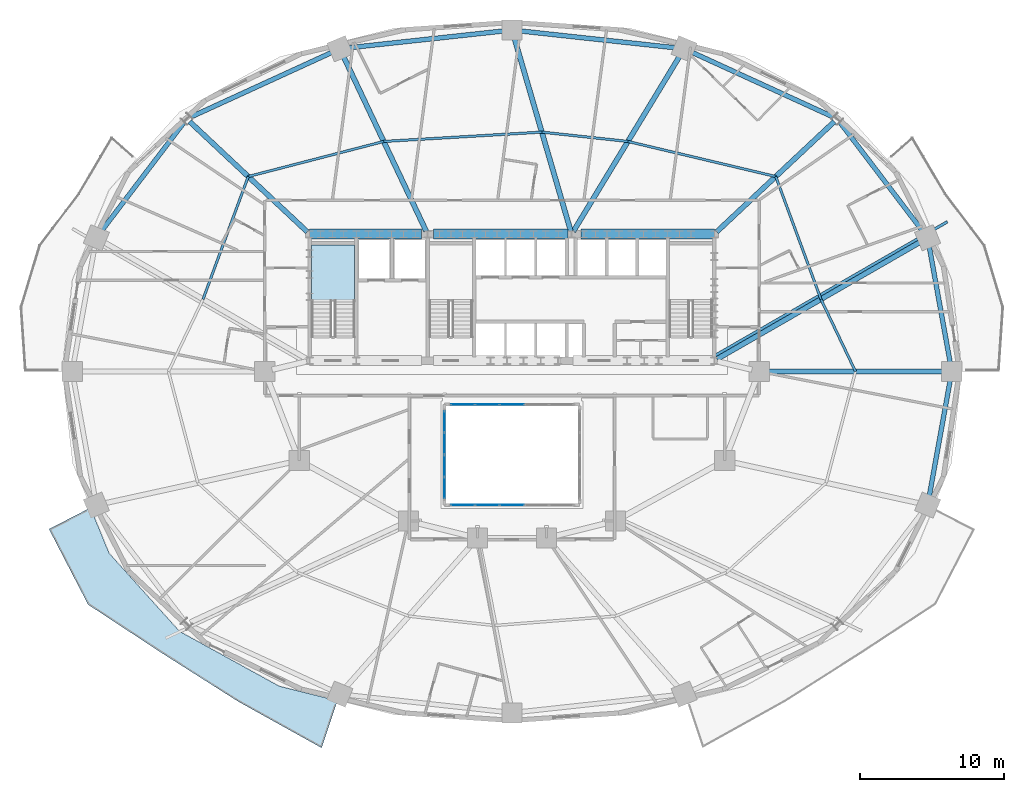
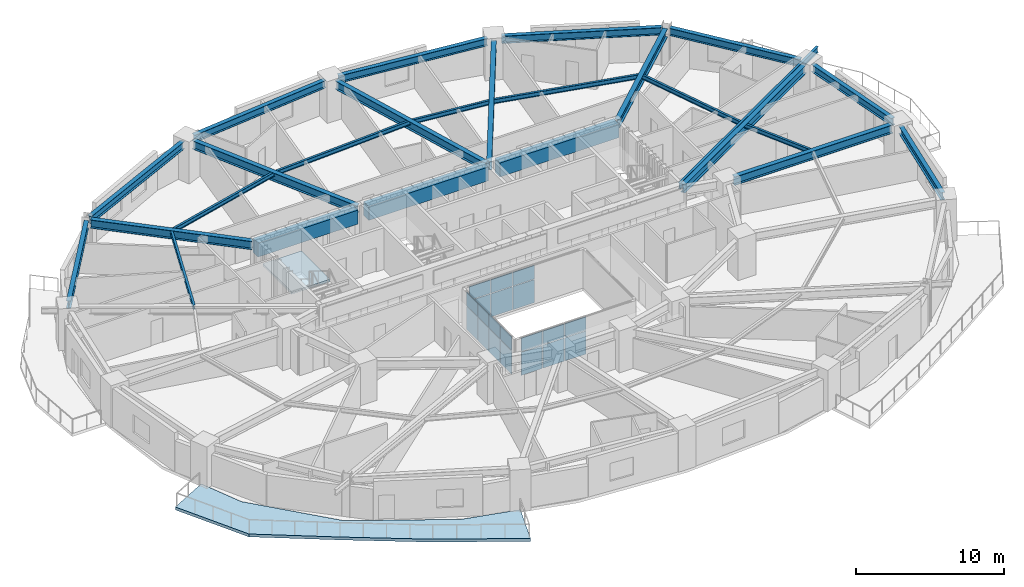
# One storey, part 7 of 17: 26 beams, 20 plates, 2 slabs, 4 elements without a shape of their own.
"""IFC4 building model written with IfcOpenShell, lengths in metres."""

from ifc_helpers import new_model, si_unit, direction, frame, origin, origin_2d, place, context, subcontext, project, spatial, polyline, rectangle, i_section, outline, extrude, material, layer, layer_set, material_profile, profile_set, type_object, element, aggregate, save


model = new_model("IFC4")

# Units and contexts
model_context = context("Model", 3, precision=1e-05, world=origin(), true_north=direction((0.0, 1.0)))
body_context = subcontext(model_context, "Body", "Model", "MODEL_VIEW")
ifc_project = project(units=[si_unit("LENGTHUNIT", "METRE"), si_unit("AREAUNIT", "SQUARE_METRE"), si_unit("VOLUMEUNIT", "CUBIC_METRE"), si_unit("PLANEANGLEUNIT", "RADIAN"), si_unit("MASSUNIT", "GRAM", prefix="KILO")], contexts=[model_context])

# Site, building, storey
site_placement = place(None, origin())
site = spatial("IfcSite", under=ifc_project, at=site_placement, CompositionType="ELEMENT")
building_placement = place(site_placement, origin())
building = spatial("IfcBuilding", under=site, at=building_placement, Name="Haldorwick Loom Tower", CompositionType="ELEMENT")
storey_placement = place(building_placement, frame((0.0, 0.0, 58.5)))
storey = spatial("IfcBuildingStorey", under=building, at=storey_placement, Name="L15", CompositionType="ELEMENT", Elevation=58.5)

# Beams
ifc_material_1 = material(Name="Steel CSA G40.21 350W", Category="steel")
ifc_material_profile_1 = material_profile(ifc_material_1, i_section(OverallWidth=0.193115234375, OverallDepth=0.466064453125, WebThickness=0.011474609375, FlangeThickness=0.01904296875, at=origin_2d()), Name="W460X97", Category="steel")
ifc_profile_set_1 = profile_set([ifc_material_profile_1], Name="Steel CSA G40.21 350W")
beam_type_1 = type_object("IfcBeamType", Name="STR-BM-BAL460", PredefinedType="BEAM", material=ifc_profile_set_1)
beam_1_placement = place(storey_placement, frame((50.125244140625, 27.10498046875, 2.97705078125), z_axis=(0.866607024941, 0.49899124674, 0.0), x_axis=(-0.49899124674, 0.866607024941, 0.0)))
element("IfcBeam", 1, at=beam_1_placement, inside=storey, type_object=beam_type_1, Name="L15 Continuous Back-Spanned Balcony Beam 4", PredefinedType="BEAM", context=body_context, shape_type="SweptSolid", body=[
    extrude(i_section(OverallWidth=0.193115234375, OverallDepth=0.466064453125, WebThickness=0.011474609375, FlangeThickness=0.01904296875, at=origin_2d()), origin(), (0.0, 0.0, 1.0), 18.65771484375),
])
ifc_material_2 = material(Name="Concrete C60 (60 MPa)", Category="concrete")
ifc_material_profile_2 = material_profile(ifc_material_2, rectangle(XDim=0.699951171875, YDim=1.14990234375, at=origin_2d()), Name="RC700X1150", Category="concrete")
ifc_profile_set_2 = profile_set([ifc_material_profile_2], Name="Concrete C60 (60 MPa)")
beam_type_2 = type_object("IfcBeamType", Name="STR-BM-CB1150", PredefinedType="LINTEL", material=ifc_profile_set_2)
beam_2_placement = place(storey_placement, frame((21.89990234375, 35.550048828125, 2.635009765625), z_axis=(1.0, 0.0, 0.0), x_axis=(0.0, 1.0, 0.0)))
element("IfcBeam", 2, at=beam_2_placement, inside=storey, type_object=beam_type_2, Name="L15 Core Coupling Beam CB-N1", PredefinedType="LINTEL", context=body_context, shape_type="SweptSolid", body=[
    extrude(rectangle(XDim=0.699951171875, YDim=1.14990234375, at=origin_2d()), origin(), (0.0, 0.0, 1.0), 7.800048828125),
])
beam_3_placement = place(storey_placement, frame((30.550048828125, 35.550048828125, 2.635009765625), z_axis=(1.0, 0.0, 0.0), x_axis=(0.0, 1.0, 0.0)))
element("IfcBeam", 3, at=beam_3_placement, inside=storey, type_object=beam_type_2, Name="L15 Core Coupling Beam CB-N2", PredefinedType="LINTEL", context=body_context, shape_type="SweptSolid", body=[
    extrude(rectangle(XDim=0.699951171875, YDim=1.14990234375, at=origin_2d()), origin(), (0.0, 0.0, 1.0), 9.349853515625),
])
beam_4_placement = place(storey_placement, frame((40.800048828125, 35.550048828125, 2.635009765625), z_axis=(1.0, 0.0, 0.0), x_axis=(0.0, 1.0, 0.0)))
element("IfcBeam", 4, at=beam_4_placement, inside=storey, type_object=beam_type_2, Name="L15 Core Coupling Beam CB-N3", PredefinedType="LINTEL", context=body_context, shape_type="SweptSolid", body=[
    extrude(rectangle(XDim=0.699951171875, YDim=1.14990234375, at=origin_2d()), origin(), (0.0, 0.0, 1.0), 9.300048828125),
])
ifc_material_profile_3 = material_profile(ifc_material_1, i_section(OverallWidth=0.172119140625, OverallDepth=0.35791015625, WebThickness=0.0078125, FlangeThickness=0.01318359375, at=origin_2d()), Name="W360X57", Category="steel")
ifc_profile_set_3 = profile_set([ifc_material_profile_3], Name="Steel CSA G40.21 350W")
beam_type_3 = type_object("IfcBeamType", Name="STR-BM-J360", PredefinedType="JOIST", material=ifc_profile_set_3)
beam_5_placement = place(storey_placement, frame((59.89794921875, 26.0, 3.031005859375), z_axis=(-0.431630738849, 0.902050389546, 0.0), x_axis=(-0.902050389546, -0.431630738849, 0.0)))
element("IfcBeam", 5, at=beam_5_placement, inside=storey, type_object=beam_type_3, Name="L15 Mid-Bay Secondary Joist 1", PredefinedType="JOIST", context=body_context, shape_type="SweptSolid", body=[
    extrude(i_section(OverallWidth=0.172119140625, OverallDepth=0.35791015625, WebThickness=0.0078125, FlangeThickness=0.01318359375, at=origin_2d()), origin(), (0.0, 0.0, 1.0), 5.5703125),
])
beam_6_placement = place(storey_placement, frame((57.49365234375, 31.024658203125, 3.031005859375), z_axis=(-0.345576005762, 0.938390763084, 0.0), x_axis=(-0.938390763084, -0.345576005762, 0.0)))
element("IfcBeam", 6, at=beam_6_placement, inside=storey, type_object=beam_type_3, Name="L15 Mid-Bay Secondary Joist 2", PredefinedType="JOIST", context=body_context, shape_type="SweptSolid", body=[
    extrude(i_section(OverallWidth=0.172119140625, OverallDepth=0.35791015625, WebThickness=0.0078125, FlangeThickness=0.01318359375, at=origin_2d()), origin(), (0.0, 0.0, 1.0), 9.0966796875),
])
beam_7_placement = place(storey_placement, frame((54.35009765625, 39.560791015625, 3.031005859375), z_axis=(-0.973016191143, 0.230736845289, 0.0), x_axis=(-0.230736845289, -0.973016191143, 0.0)))
element("IfcBeam", 7, at=beam_7_placement, inside=storey, type_object=beam_type_3, Name="L15 Mid-Bay Secondary Joist 3", PredefinedType="JOIST", context=body_context, shape_type="SweptSolid", body=[
    extrude(i_section(OverallWidth=0.172119140625, OverallDepth=0.35791015625, WebThickness=0.0078125, FlangeThickness=0.01318359375, at=origin_2d()), origin(), (0.0, 0.0, 1.0), 10.5712890625),
])
beam_8_placement = place(storey_placement, frame((44.06396484375, 42.0, 3.031005859375), z_axis=(-0.994163660215, 0.107882420753, 0.0), x_axis=(-0.107882420753, -0.994163660215, 0.0)))
element("IfcBeam", 8, at=beam_8_placement, inside=storey, type_object=beam_type_3, Name="L15 Mid-Bay Secondary Joist 4", PredefinedType="JOIST", context=body_context, shape_type="SweptSolid", body=[
    extrude(i_section(OverallWidth=0.172119140625, OverallDepth=0.35791015625, WebThickness=0.0078125, FlangeThickness=0.01318359375, at=origin_2d()), origin(), (0.0, 0.0, 1.0), 6.024169921875),
])
beam_9_placement = place(storey_placement, frame((38.074951171875, 42.64990234375, 3.031005859375), z_axis=(-0.998258904552, -0.058984400336, 0.0), x_axis=(0.058984400336, -0.998258904552, 0.0)))
element("IfcBeam", 9, at=beam_9_placement, inside=storey, type_object=beam_type_3, Name="L15 Mid-Bay Secondary Joist 5", PredefinedType="JOIST", context=body_context, shape_type="SweptSolid", body=[
    extrude(i_section(OverallWidth=0.172119140625, OverallDepth=0.35791015625, WebThickness=0.0078125, FlangeThickness=0.01318359375, at=origin_2d()), origin(), (0.0, 0.0, 1.0), 11.018310546875),
])
beam_10_placement = place(storey_placement, frame((27.075927734375, 42.0, 3.031005859375), z_axis=(-0.968110955806, -0.250521809927, 0.0), x_axis=(0.250521809927, -0.968110955806, 0.0)))
element("IfcBeam", 10, at=beam_10_placement, inside=storey, type_object=beam_type_3, Name="L15 Mid-Bay Secondary Joist 6", PredefinedType="JOIST", context=body_context, shape_type="SweptSolid", body=[
    extrude(i_section(OverallWidth=0.172119140625, OverallDepth=0.35791015625, WebThickness=0.0078125, FlangeThickness=0.01318359375, at=origin_2d()), origin(), (0.0, 0.0, 1.0), 9.736572265625),
])
beam_11_placement = place(storey_placement, frame((17.64990234375, 39.560791015625, 3.031005859375), z_axis=(-0.345576005762, -0.938390763084, 0.0), x_axis=(0.938390763084, -0.345576005762, 0.0)))
element("IfcBeam", 11, at=beam_11_placement, inside=storey, type_object=beam_type_3, Name="L15 Mid-Bay Secondary Joist 7", PredefinedType="JOIST", context=body_context, shape_type="SweptSolid", body=[
    extrude(i_section(OverallWidth=0.172119140625, OverallDepth=0.35791015625, WebThickness=0.0078125, FlangeThickness=0.01318359375, at=origin_2d()), origin(), (0.0, 0.0, 1.0), 9.0966796875),
])
ifc_material_profile_4 = material_profile(ifc_material_1, i_section(OverallWidth=0.324951171875, OverallDepth=0.615966796875, WebThickness=0.013916015625, FlangeThickness=0.021484375, at=origin_2d()), Name="W610X174", Category="steel")
ifc_profile_set_4 = profile_set([ifc_material_profile_4], Name="Steel CSA G40.21 350W")
beam_type_4 = type_object("IfcBeamType", Name="STR-BM-SP610", PredefinedType="SPANDREL", material=ifc_profile_set_4)
beam_12_placement = place(storey_placement, frame((66.503662109375, 26.51171875, 2.902099609375), z_axis=(-0.177641139482, 0.984095333575, 0.0), x_axis=(-0.984095333575, -0.177641139482, 0.0)))
element("IfcBeam", 12, at=beam_12_placement, inside=storey, type_object=beam_type_4, Name="L15 Perimeter Spandrel 1", PredefinedType="SPANDREL", context=body_context, shape_type="SweptSolid", body=[
    extrude(i_section(OverallWidth=0.324951171875, OverallDepth=0.615966796875, WebThickness=0.013916015625, FlangeThickness=0.021484375, at=origin_2d()), origin(), (0.0, 0.0, 1.0), 8.40966796875),
])
beam_13_placement = place(storey_placement, frame((64.602783203125, 35.713134765625, 2.902099609375), z_axis=(-0.605084557744, 0.796161213562, 0.0), x_axis=(-0.796161213562, -0.605084557744, 0.0)))
element("IfcBeam", 13, at=beam_13_placement, inside=storey, type_object=beam_type_4, Name="L15 Perimeter Spandrel 2", PredefinedType="SPANDREL", context=body_context, shape_type="SweptSolid", body=[
    extrude(i_section(OverallWidth=0.324951171875, OverallDepth=0.615966796875, WebThickness=0.013916015625, FlangeThickness=0.021484375, at=origin_2d()), origin(), (0.0, 0.0, 1.0), 9.595703125),
])
beam_14_placement = place(storey_placement, frame((58.380126953125, 43.68603515625, 2.902099609375), z_axis=(-0.909173805321, 0.416416848504, 0.0), x_axis=(-0.416416848504, -0.909173805321, 0.0)))
element("IfcBeam", 14, at=beam_14_placement, inside=storey, type_object=beam_type_4, Name="L15 Perimeter Spandrel 3", PredefinedType="SPANDREL", context=body_context, shape_type="SweptSolid", body=[
    extrude(i_section(OverallWidth=0.324951171875, OverallDepth=0.615966796875, WebThickness=0.013916015625, FlangeThickness=0.021484375, at=origin_2d()), origin(), (0.0, 0.0, 1.0), 10.92138671875),
])
for number, where, z_axis, x_axis, name in (
    (15, (47.4609375, 48.50634765625, 2.902099609375), (-0.994164438636, 0.107875247167, 0.0), (-0.107875247167, -0.994164438636, 0.0), "L15 Perimeter Spandrel 4"),
    (16, (35.48291015625, 49.69384765625, 2.902099609375), (-0.994164438636, -0.107875247167, 0.0), (0.107875247167, -0.994164438636, 0.0), "L15 Perimeter Spandrel 5"),
):
    element("IfcBeam", number, at=place(storey_placement, frame(where, z_axis=z_axis, x_axis=x_axis)), inside=storey, type_object=beam_type_4, Name=name, PredefinedType="SPANDREL", context=body_context, shape_type="SweptSolid", body=[
        extrude(i_section(OverallWidth=0.324951171875, OverallDepth=0.615966796875, WebThickness=0.013916015625, FlangeThickness=0.021484375, at=origin_2d()), origin(), (0.0, 0.0, 1.0), 11.008056640625),
    ])
beam_15_placement = place(storey_placement, frame((23.54931640625, 48.23388671875, 2.902099609375), z_axis=(-0.909173805321, -0.416416848504, 0.0), x_axis=(0.416416848504, -0.909173805321, 0.0)))
element("IfcBeam", 17, at=beam_15_placement, inside=storey, type_object=beam_type_4, Name="L15 Perimeter Spandrel 6", PredefinedType="SPANDREL", context=body_context, shape_type="SweptSolid", body=[
    extrude(i_section(OverallWidth=0.324951171875, OverallDepth=0.615966796875, WebThickness=0.013916015625, FlangeThickness=0.021484375, at=origin_2d()), origin(), (0.0, 0.0, 1.0), 10.92138671875),
])
beam_16_placement = place(storey_placement, frame((13.203369140625, 43.352783203125, 2.902099609375), z_axis=(-0.605084557744, -0.796161213562, 0.0), x_axis=(0.796161213562, -0.605084557744, 0.0)))
element("IfcBeam", 18, at=beam_16_placement, inside=storey, type_object=beam_type_4, Name="L15 Perimeter Spandrel 7", PredefinedType="SPANDREL", context=body_context, shape_type="SweptSolid", body=[
    extrude(i_section(OverallWidth=0.324951171875, OverallDepth=0.615966796875, WebThickness=0.013916015625, FlangeThickness=0.021484375, at=origin_2d()), origin(), (0.0, 0.0, 1.0), 9.595703125),
])
beam_17_placement = place(storey_placement, frame((65.009765625, 17.21240234375, 2.902099609375), z_axis=(0.177641139482, 0.984095333575, 0.0), x_axis=(-0.984095333575, 0.177641139482, 0.0)))
element("IfcBeam", 19, at=beam_17_placement, inside=storey, type_object=beam_type_4, Name="L15 Perimeter Spandrel 16", PredefinedType="SPANDREL", context=body_context, shape_type="SweptSolid", body=[
    extrude(i_section(OverallWidth=0.324951171875, OverallDepth=0.615966796875, WebThickness=0.013916015625, FlangeThickness=0.021484375, at=origin_2d()), origin(), (0.0, 0.0, 1.0), 8.40966796875),
])
ifc_material_profile_5 = material_profile(ifc_material_1, i_section(OverallWidth=0.35498046875, OverallDepth=0.695068359375, WebThickness=0.015380859375, FlangeThickness=0.02490234375, at=origin_2d()), Name="W690X217", Category="steel")
ifc_profile_set_5 = profile_set([ifc_material_profile_5], Name="Steel CSA G40.21 350W")
beam_type_5 = type_object("IfcBeamType", Name="STR-BM-W690", PredefinedType="BEAM", material=ifc_profile_set_5)
beam_18_placement = place(storey_placement, frame((53.719970703125, 26.0, 2.862548828125), z_axis=(1.0, 0.0, 0.0), x_axis=(0.0, 1.0, 0.0)))
element("IfcBeam", 20, at=beam_18_placement, inside=storey, type_object=beam_type_5, Name="L15 Radial Floor Girder 1", PredefinedType="BEAM", context=body_context, shape_type="SweptSolid", body=[
    extrude(i_section(OverallWidth=0.35498046875, OverallDepth=0.695068359375, WebThickness=0.015380859375, FlangeThickness=0.02490234375, at=origin_2d()), origin(), (0.0, 0.0, 1.0), 12.35595703125),
])
beam_19_placement = place(storey_placement, frame((50.264892578125, 26.8623046875, 2.862548828125), z_axis=(0.86660566838, 0.498993602696, 0.0), x_axis=(-0.498993602696, 0.86660566838, 0.0)))
element("IfcBeam", 21, at=beam_19_placement, inside=storey, type_object=beam_type_5, Name="L15 Radial Floor Girder 2", PredefinedType="BEAM", context=body_context, shape_type="SweptSolid", body=[
    extrude(i_section(OverallWidth=0.35498046875, OverallDepth=0.695068359375, WebThickness=0.015380859375, FlangeThickness=0.02490234375, at=origin_2d()), origin(), (0.0, 0.0, 1.0), 16.387939453125),
])
beam_20_placement = place(storey_placement, frame((50.234130859375, 35.703857421875, 2.862548828125), z_axis=(0.729689033278, 0.683779141766, 0.0), x_axis=(-0.683779141766, 0.729689033278, 0.0)))
element("IfcBeam", 22, at=beam_20_placement, inside=storey, type_object=beam_type_5, Name="L15 Radial Floor Girder 3", PredefinedType="BEAM", context=body_context, shape_type="SweptSolid", body=[
    extrude(i_section(OverallWidth=0.35498046875, OverallDepth=0.695068359375, WebThickness=0.015380859375, FlangeThickness=0.02490234375, at=origin_2d()), origin(), (0.0, 0.0, 1.0), 11.231201171875),
])
beam_21_placement = place(storey_placement, frame((40.2666015625, 35.742431640625, 2.862548828125), z_axis=(0.518781813409, 0.854906679162, 0.0), x_axis=(-0.854906679162, 0.518781813409, 0.0)))
element("IfcBeam", 23, at=beam_21_placement, inside=storey, type_object=beam_type_5, Name="L15 Radial Floor Girder 4", PredefinedType="BEAM", context=body_context, shape_type="SweptSolid", body=[
    extrude(i_section(OverallWidth=0.35498046875, OverallDepth=0.695068359375, WebThickness=0.015380859375, FlangeThickness=0.02490234375, at=origin_2d()), origin(), (0.0, 0.0, 1.0), 14.344482421875),
])
beam_22_placement = place(storey_placement, frame((40.0869140625, 35.76611328125, 2.862548828125), z_axis=(-0.28051378914, 0.959849995625, 0.0), x_axis=(-0.959849995625, -0.28051378914, 0.0)))
element("IfcBeam", 24, at=beam_22_placement, inside=storey, type_object=beam_type_5, Name="L15 Radial Floor Girder 5", PredefinedType="BEAM", context=body_context, shape_type="SweptSolid", body=[
    extrude(i_section(OverallWidth=0.35498046875, OverallDepth=0.695068359375, WebThickness=0.015380859375, FlangeThickness=0.02490234375, at=origin_2d()), origin(), (0.0, 0.0, 1.0), 14.048828125),
])
beam_23_placement = place(storey_placement, frame((30.03369140625, 35.75341796875, 2.862548828125), z_axis=(-0.427945149389, 0.903804707398, 0.0), x_axis=(-0.903804707398, -0.427945149389, 0.0)))
element("IfcBeam", 25, at=beam_23_placement, inside=storey, type_object=beam_type_5, Name="L15 Radial Floor Girder 6", PredefinedType="BEAM", context=body_context, shape_type="SweptSolid", body=[
    extrude(i_section(OverallWidth=0.35498046875, OverallDepth=0.695068359375, WebThickness=0.015380859375, FlangeThickness=0.02490234375, at=origin_2d()), origin(), (0.0, 0.0, 1.0), 13.528076171875),
])
beam_24_placement = place(storey_placement, frame((21.765869140625, 35.703857421875, 2.862548828125), z_axis=(-0.729689033278, 0.683779141766, 0.0), x_axis=(-0.683779141766, -0.729689033278, 0.0)))
element("IfcBeam", 26, at=beam_24_placement, inside=storey, type_object=beam_type_5, Name="L15 Radial Floor Girder 7", PredefinedType="BEAM", context=body_context, shape_type="SweptSolid", body=[
    extrude(i_section(OverallWidth=0.35498046875, OverallDepth=0.695068359375, WebThickness=0.015380859375, FlangeThickness=0.02490234375, at=origin_2d()), origin(), (0.0, 0.0, 1.0), 11.231201171875),
])

# Curtain wall, plates
ifc_material_3 = material(Name="Thermally Broken Anodized Aluminium Curtain Wall Framing", Category="aluminium")
curtain_wall_type = type_object("IfcCurtainWallType", Name="ARC-CW-03", PredefinedType="NOTDEFINED", material=ifc_material_3)
curtain_wall_1_placement = place(storey_placement, origin())
curtain_wall_1 = element("IfcCurtainWall", 27, at=curtain_wall_1_placement, inside=storey, type_object=curtain_wall_type, Name="L15 Atrium Glazed Screen S", PredefinedType="NOTDEFINED")
ifc_material_4 = material(Name="Triple-Glazed Low-E Argon Insulated Glazing Unit", Category="glass")
ifc_layer_1 = layer(ifc_material_4, 0.04296875, Name="Triple-Glazed Low-E Argon Insulated Glazing Unit", Category="glass")
ifc_layer_set_1 = layer_set([ifc_layer_1], Name="Triple-Glazed Low-E Argon Insulated Glazing Unit")
plate_type = type_object("IfcPlateType", Name="ARC-CWP-03", PredefinedType="CURTAIN_PANEL", material=ifc_layer_set_1)
plate_1_placement = place(storey_placement, frame((36.0, 16.699951171875, 0.066162109375), z_axis=(0.0, 0.0, 1.0), x_axis=(-1.0, 0.0, 0.0)))
plate_1 = element("IfcPlate", 28, at=plate_1_placement, type_object=plate_type, Name="CW-03 panel 3.1", PredefinedType="CURTAIN_PANEL", context=body_context, shape_type="SweptSolid", body=[
    extrude(rectangle(XDim=1.654052734375, YDim=0.04296875, at=origin_2d()), origin(), (0.0, 0.0, 1.0), 1.90087890625),
])
plate_2_placement = place(storey_placement, frame((36.0, 16.699951171875, 2.03271484375), z_axis=(0.0, 0.0, 1.0), x_axis=(-1.0, 0.0, 0.0)))
plate_2 = element("IfcPlate", 29, at=plate_2_placement, type_object=plate_type, Name="CW-03 panel 3.2", PredefinedType="CURTAIN_PANEL", context=body_context, shape_type="SweptSolid", body=[
    extrude(rectangle(XDim=1.654052734375, YDim=0.04296875, at=origin_2d()), origin(), (0.0, 0.0, 1.0), 1.111083984375),
])
plate_3_placement = place(storey_placement, frame((34.280029296875, 16.699951171875, 0.066162109375), z_axis=(0.0, 0.0, 1.0), x_axis=(-1.0, 0.0, 0.0)))
plate_3 = element("IfcPlate", 30, at=plate_3_placement, type_object=plate_type, Name="CW-03 panel 4.1", PredefinedType="CURTAIN_PANEL", context=body_context, shape_type="SweptSolid", body=[
    extrude(rectangle(XDim=1.654052734375, YDim=0.04296875, at=origin_2d()), origin(), (0.0, 0.0, 1.0), 1.90087890625),
])
plate_4_placement = place(storey_placement, frame((34.280029296875, 16.699951171875, 2.03271484375), z_axis=(0.0, 0.0, 1.0), x_axis=(-1.0, 0.0, 0.0)))
plate_4 = element("IfcPlate", 31, at=plate_4_placement, type_object=plate_type, Name="CW-03 panel 4.2", PredefinedType="CURTAIN_PANEL", context=body_context, shape_type="SweptSolid", body=[
    extrude(rectangle(XDim=1.654052734375, YDim=0.04296875, at=origin_2d()), origin(), (0.0, 0.0, 1.0), 1.111083984375),
])
plate_5_placement = place(storey_placement, frame((32.576416015625, 16.699951171875, 0.066162109375), z_axis=(0.0, 0.0, 1.0), x_axis=(-1.0, 0.0, 0.0)))
plate_5 = element("IfcPlate", 32, at=plate_5_placement, type_object=plate_type, Name="CW-03 panel 5.1", PredefinedType="CURTAIN_PANEL", context=body_context, shape_type="SweptSolid", body=[
    extrude(rectangle(XDim=1.62109375, YDim=0.04296875, at=origin_2d()), origin(), (0.0, 0.0, 1.0), 1.90087890625),
])
plate_6_placement = place(storey_placement, frame((32.576416015625, 16.699951171875, 2.03271484375), z_axis=(0.0, 0.0, 1.0), x_axis=(-1.0, 0.0, 0.0)))
plate_6 = element("IfcPlate", 33, at=plate_6_placement, type_object=plate_type, Name="CW-03 panel 5.2", PredefinedType="CURTAIN_PANEL", context=body_context, shape_type="SweptSolid", body=[
    extrude(rectangle(XDim=1.62109375, YDim=0.04296875, at=origin_2d()), origin(), (0.0, 0.0, 1.0), 1.111083984375),
])
aggregate(curtain_wall_1, [plate_1, plate_2, plate_3, plate_4, plate_5, plate_6])

curtain_wall_2_placement = place(storey_placement, origin())
curtain_wall_2 = element("IfcCurtainWall", 34, at=curtain_wall_2_placement, inside=storey, type_object=curtain_wall_type, Name="L15 Atrium Glazed Screen N", PredefinedType="NOTDEFINED")
plate_7_placement = place(storey_placement, frame((32.576416015625, 23.699951171875, 0.066162109375), z_axis=(0.0, 0.0, 1.0), x_axis=(1.0, 0.0, 0.0)))
plate_7 = element("IfcPlate", 35, at=plate_7_placement, type_object=plate_type, Name="CW-03 panel 1.1", PredefinedType="CURTAIN_PANEL", context=body_context, shape_type="SweptSolid", body=[
    extrude(rectangle(XDim=1.62109375, YDim=0.04296875, at=origin_2d()), origin(), (0.0, 0.0, 1.0), 1.90087890625),
])
plate_8_placement = place(storey_placement, frame((32.576416015625, 23.699951171875, 2.03271484375), z_axis=(0.0, 0.0, 1.0), x_axis=(1.0, 0.0, 0.0)))
plate_8 = element("IfcPlate", 36, at=plate_8_placement, type_object=plate_type, Name="CW-03 panel 1.2", PredefinedType="CURTAIN_PANEL", context=body_context, shape_type="SweptSolid", body=[
    extrude(rectangle(XDim=1.62109375, YDim=0.04296875, at=origin_2d()), origin(), (0.0, 0.0, 1.0), 1.111083984375),
])
plate_9_placement = place(storey_placement, frame((34.280029296875, 23.699951171875, 0.066162109375), z_axis=(0.0, 0.0, 1.0), x_axis=(1.0, 0.0, 0.0)))
plate_9 = element("IfcPlate", 37, at=plate_9_placement, type_object=plate_type, Name="CW-03 panel 2.1", PredefinedType="CURTAIN_PANEL", context=body_context, shape_type="SweptSolid", body=[
    extrude(rectangle(XDim=1.654052734375, YDim=0.04296875, at=origin_2d()), origin(), (0.0, 0.0, 1.0), 1.90087890625),
])
plate_10_placement = place(storey_placement, frame((34.280029296875, 23.699951171875, 2.03271484375), z_axis=(0.0, 0.0, 1.0), x_axis=(1.0, 0.0, 0.0)))
plate_10 = element("IfcPlate", 38, at=plate_10_placement, type_object=plate_type, Name="CW-03 panel 2.2", PredefinedType="CURTAIN_PANEL", context=body_context, shape_type="SweptSolid", body=[
    extrude(rectangle(XDim=1.654052734375, YDim=0.04296875, at=origin_2d()), origin(), (0.0, 0.0, 1.0), 1.111083984375),
])
plate_11_placement = place(storey_placement, frame((36.0, 23.699951171875, 0.066162109375), z_axis=(0.0, 0.0, 1.0), x_axis=(1.0, 0.0, 0.0)))
plate_11 = element("IfcPlate", 39, at=plate_11_placement, type_object=plate_type, Name="CW-03 panel 3.1", PredefinedType="CURTAIN_PANEL", context=body_context, shape_type="SweptSolid", body=[
    extrude(rectangle(XDim=1.654052734375, YDim=0.04296875, at=origin_2d()), origin(), (0.0, 0.0, 1.0), 1.90087890625),
])
plate_12_placement = place(storey_placement, frame((36.0, 23.699951171875, 2.03271484375), z_axis=(0.0, 0.0, 1.0), x_axis=(1.0, 0.0, 0.0)))
plate_12 = element("IfcPlate", 40, at=plate_12_placement, type_object=plate_type, Name="CW-03 panel 3.2", PredefinedType="CURTAIN_PANEL", context=body_context, shape_type="SweptSolid", body=[
    extrude(rectangle(XDim=1.654052734375, YDim=0.04296875, at=origin_2d()), origin(), (0.0, 0.0, 1.0), 1.111083984375),
])
aggregate(curtain_wall_2, [plate_7, plate_8, plate_9, plate_10, plate_11, plate_12])

curtain_wall_3_placement = place(storey_placement, origin())
curtain_wall_3 = element("IfcCurtainWall", 41, at=curtain_wall_3_placement, inside=storey, type_object=curtain_wall_type, Name="L15 Atrium Glazed Screen W", PredefinedType="NOTDEFINED")
plate_13_placement = place(storey_placement, frame((31.300048828125, 17.8916015625, 0.066162109375), z_axis=(0.0, 0.0, 1.0), x_axis=(0.0, 1.0, 0.0)))
plate_13 = element("IfcPlate", 42, at=plate_13_placement, type_object=plate_type, Name="CW-03 panel 1.1", PredefinedType="CURTAIN_PANEL", context=body_context, shape_type="SweptSolid", body=[
    extrude(rectangle(XDim=1.450927734375, YDim=0.04296875, at=origin_2d()), origin(), (0.0, 0.0, 1.0), 1.90087890625),
])
plate_14_placement = place(storey_placement, frame((31.300048828125, 17.8916015625, 2.03271484375), z_axis=(0.0, 0.0, 1.0), x_axis=(0.0, 1.0, 0.0)))
plate_14 = element("IfcPlate", 43, at=plate_14_placement, type_object=plate_type, Name="CW-03 panel 1.2", PredefinedType="CURTAIN_PANEL", context=body_context, shape_type="SweptSolid", body=[
    extrude(rectangle(XDim=1.450927734375, YDim=0.04296875, at=origin_2d()), origin(), (0.0, 0.0, 1.0), 1.111083984375),
])
plate_15_placement = place(storey_placement, frame((31.300048828125, 19.425048828125, 0.066162109375), z_axis=(0.0, 0.0, 1.0), x_axis=(0.0, 1.0, 0.0)))
plate_15 = element("IfcPlate", 44, at=plate_15_placement, type_object=plate_type, Name="CW-03 panel 2.1", PredefinedType="CURTAIN_PANEL", context=body_context, shape_type="SweptSolid", body=[
    extrude(rectangle(XDim=1.48388671875, YDim=0.04296875, at=origin_2d()), origin(), (0.0, 0.0, 1.0), 1.90087890625),
])
plate_16_placement = place(storey_placement, frame((31.300048828125, 19.425048828125, 2.03271484375), z_axis=(0.0, 0.0, 1.0), x_axis=(0.0, 1.0, 0.0)))
plate_16 = element("IfcPlate", 45, at=plate_16_placement, type_object=plate_type, Name="CW-03 panel 2.2", PredefinedType="CURTAIN_PANEL", context=body_context, shape_type="SweptSolid", body=[
    extrude(rectangle(XDim=1.48388671875, YDim=0.04296875, at=origin_2d()), origin(), (0.0, 0.0, 1.0), 1.111083984375),
])
plate_17_placement = place(storey_placement, frame((31.300048828125, 20.97509765625, 0.066162109375), z_axis=(0.0, 0.0, 1.0), x_axis=(0.0, 1.0, 0.0)))
plate_17 = element("IfcPlate", 46, at=plate_17_placement, type_object=plate_type, Name="CW-03 panel 3.1", PredefinedType="CURTAIN_PANEL", context=body_context, shape_type="SweptSolid", body=[
    extrude(rectangle(XDim=1.48388671875, YDim=0.04296875, at=origin_2d()), origin(), (0.0, 0.0, 1.0), 1.90087890625),
])
plate_18_placement = place(storey_placement, frame((31.300048828125, 20.97509765625, 2.03271484375), z_axis=(0.0, 0.0, 1.0), x_axis=(0.0, 1.0, 0.0)))
plate_18 = element("IfcPlate", 47, at=plate_18_placement, type_object=plate_type, Name="CW-03 panel 3.2", PredefinedType="CURTAIN_PANEL", context=body_context, shape_type="SweptSolid", body=[
    extrude(rectangle(XDim=1.48388671875, YDim=0.04296875, at=origin_2d()), origin(), (0.0, 0.0, 1.0), 1.111083984375),
])
plate_19_placement = place(storey_placement, frame((31.300048828125, 22.508544921875, 0.066162109375), z_axis=(0.0, 0.0, 1.0), x_axis=(0.0, 1.0, 0.0)))
plate_19 = element("IfcPlate", 48, at=plate_19_placement, type_object=plate_type, Name="CW-03 panel 4.1", PredefinedType="CURTAIN_PANEL", context=body_context, shape_type="SweptSolid", body=[
    extrude(rectangle(XDim=1.450927734375, YDim=0.04296875, at=origin_2d()), origin(), (0.0, 0.0, 1.0), 1.90087890625),
])
plate_20_placement = place(storey_placement, frame((31.300048828125, 22.508544921875, 2.03271484375), z_axis=(0.0, 0.0, 1.0), x_axis=(0.0, 1.0, 0.0)))
plate_20 = element("IfcPlate", 49, at=plate_20_placement, type_object=plate_type, Name="CW-03 panel 4.2", PredefinedType="CURTAIN_PANEL", context=body_context, shape_type="SweptSolid", body=[
    extrude(rectangle(XDim=1.450927734375, YDim=0.04296875, at=origin_2d()), origin(), (0.0, 0.0, 1.0), 1.111083984375),
])
aggregate(curtain_wall_3, [plate_13, plate_14, plate_15, plate_16, plate_17, plate_18, plate_19, plate_20])

# Slab
ifc_material_5 = material(Name="Concrete C40 (40 MPa)", Category="concrete")
ifc_layer_2 = layer(ifc_material_5, 0.239990234375, Name="Concrete C40 (40 MPa)", Category="concrete")
ifc_layer_set_2 = layer_set([ifc_layer_2], Name="Concrete C40 (40 MPa)")
slab_type_1 = type_object("IfcSlabType", Name="STR-SLB-BAL240", PredefinedType="FLOOR", material=ifc_layer_set_2)
slab_1_placement = place(storey_placement, frame((0.0, 0.0, -0.239990234375)))
element("IfcSlab", 50, at=slab_1_placement, inside=storey, type_object=slab_type_1, Name="L15 Sinusoidal Balcony Terrace BAL_SW", PredefinedType="FLOOR", context=body_context, shape_type="SweptSolid", body=[
    extrude(outline(polyline([(23.84814453125, 3.091064453125), (19.8203125, 4.0966796875), (19.819091796875, 4.096923828125), (19.81787109375, 4.097412109375), (19.81689453125, 4.09814453125), (12.86767578125, 7.92041015625), (12.8662109375, 7.921142578125), (12.86474609375, 7.922119140625), (12.86376953125, 7.92333984375), (7.97119140625, 13.3525390625), (7.97021484375, 13.353515625), (7.969482421875, 13.3544921875), (7.968994140625, 13.355712890625), (7.968505859375, 13.356689453125), (6.675537109375, 16.51708984375), (3.791015625, 15.03076171875), (6.50927734375, 9.7822265625), (11.669189453125, 6.390380859375), (16.972412109375, 3.0263671875), (22.75341796875, -0.189208984375), (23.84814453125, 3.091064453125)])), origin(), (0.0, 0.0, 1.0), 0.239990234375),
])

# Stair, slab
stair_type = type_object("IfcStairType", Name="STR-STR-CORE", PredefinedType="HALF_TURN_STAIR", material=ifc_material_5)
stair_placement = place(storey_placement, origin())
stair = element("IfcStair", 51, at=stair_placement, inside=storey, type_object=stair_type, Name="L15 Exit Stair ST-01", PredefinedType="HALF_TURN_STAIR")
ifc_layer_3 = layer(ifc_material_5, 0.199951171875, Name="Concrete C40 (40 MPa)", Category="concrete")
ifc_layer_set_3 = layer_set([ifc_layer_3], Name="Concrete C40 (40 MPa)")
slab_type_2 = type_object("IfcSlabType", Name="STR-SLB-LAND200", PredefinedType="LANDING", material=ifc_layer_set_3)
slab_2_placement = place(storey_placement, frame((0.0, 0.0, 1.52490234375)))
slab_2 = element("IfcSlab", 52, at=slab_2_placement, type_object=slab_type_2, Name="ST-01 landing 1", PredefinedType="LANDING", context=body_context, shape_type="SweptSolid", body=[
    extrude(outline(polyline([(25.050048828125, 30.919921875), (25.050048828125, 34.800048828125), (22.050048828125, 34.800048828125), (22.050048828125, 30.919921875), (25.050048828125, 30.919921875)])), origin(), (0.0, 0.0, 1.0), 0.2001953125),
])
aggregate(stair, [slab_2])

save(model, "model.ifc")
